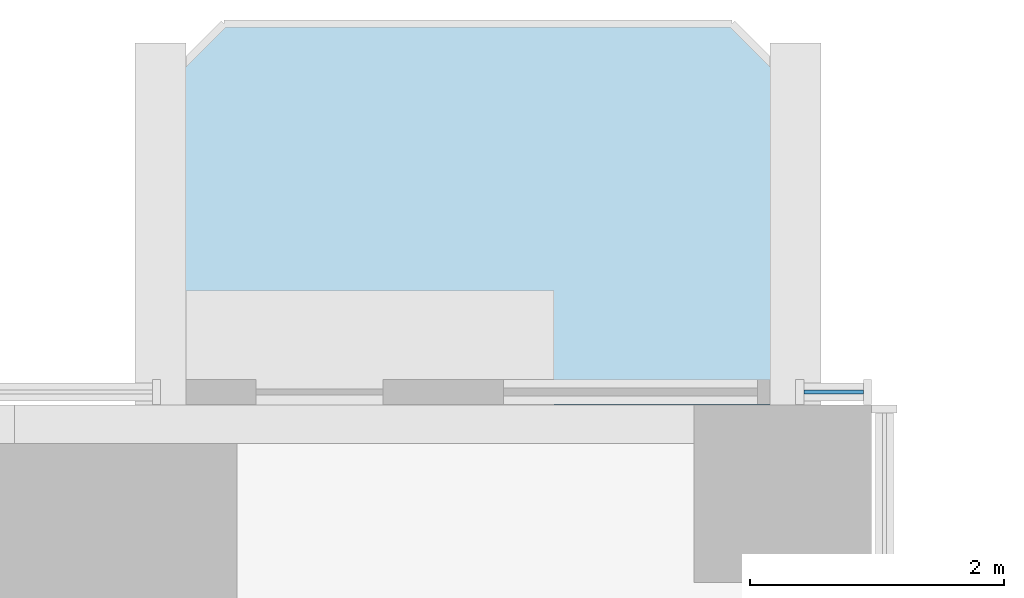
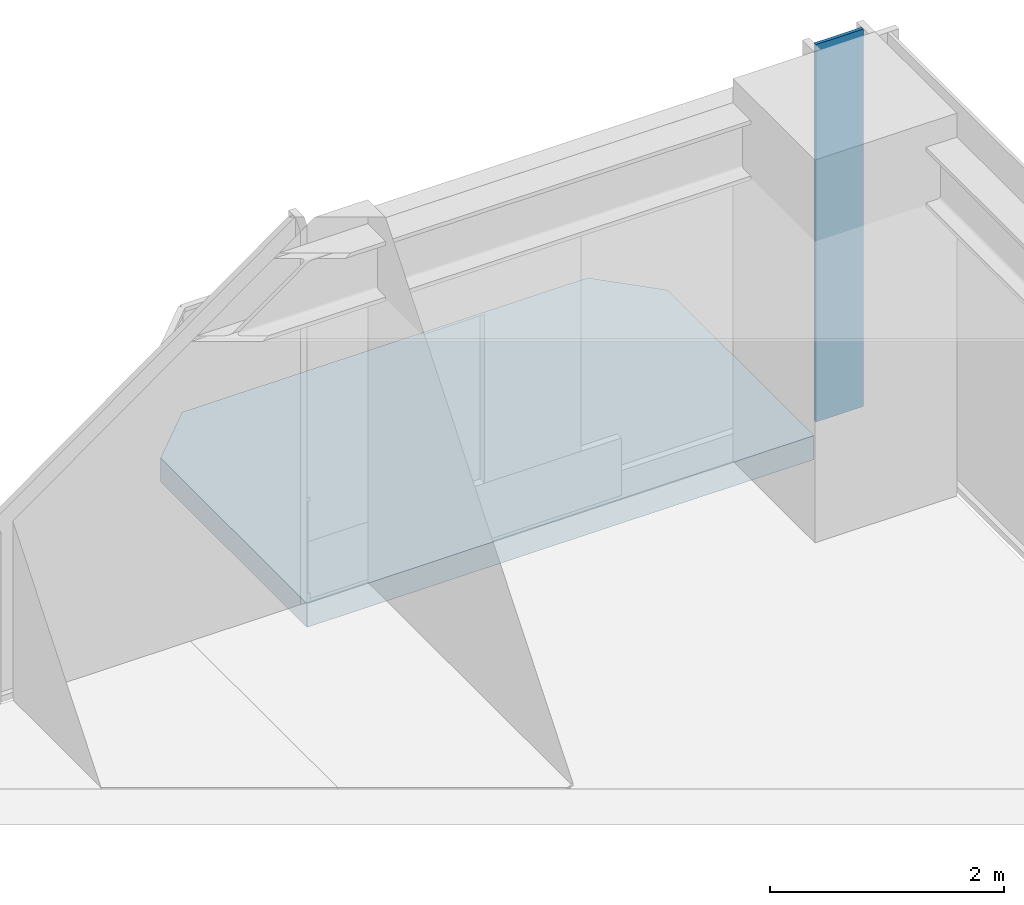
# One storey, part 10 of 17: 1 plate, 1 slab, 1 element without a shape of its own.
"""IFC4 building model written with IfcOpenShell, lengths in metres."""

from ifc_helpers import new_model, si_unit, direction, frame, origin, origin_2d, place, context, subcontext, project, spatial, polyline, rectangle, outline, extrude, material, layer, layer_set, type_object, element, aggregate, save


model = new_model("IFC4")

# Units and contexts
model_context = context("Model", 3, precision=1e-05, world=origin(), true_north=direction((0.0, 1.0)))
body_context = subcontext(model_context, "Body", "Model", "MODEL_VIEW")
ifc_project = project(units=[si_unit("LENGTHUNIT", "METRE"), si_unit("AREAUNIT", "SQUARE_METRE"), si_unit("VOLUMEUNIT", "CUBIC_METRE"), si_unit("PLANEANGLEUNIT", "RADIAN"), si_unit("MASSUNIT", "GRAM", prefix="KILO")], contexts=[model_context])

# Site, building, storey
site_placement = place(None, origin())
site = spatial("IfcSite", under=ifc_project, at=site_placement, CompositionType="ELEMENT")
building_placement = place(site_placement, origin())
building = spatial("IfcBuilding", under=site, at=building_placement, Name="Svetlomir Tower", CompositionType="ELEMENT")
storey_placement = place(building_placement, frame((0.0, 0.0, 38.5)))
storey = spatial("IfcBuildingStorey", under=building, at=storey_placement, Name="L08", CompositionType="ELEMENT", Elevation=38.5)

# Slab
ifc_material_1 = material(Name="Concrete C60/75", Category="concrete")
ifc_layer_1 = layer(ifc_material_1, 0.25)
ifc_layer_set_1 = layer_set([ifc_layer_1], Name="Concrete C60/75")
slab_type = type_object("IfcSlabType", Name="BALCONY SLAB 250", PredefinedType="FLOOR", material=ifc_layer_set_1)
slab_placement = place(storey_placement, frame((0.0, 0.0, -0.25)))
element("IfcSlab", 1, at=slab_placement, inside=storey, type_object=slab_type, Name="L08 N planted balcony", PredefinedType="FLOOR", context=body_context, shape_type="SweptSolid", body=[
    extrude(outline(polyline([(30.39990234375, 42.0), (35.39990234375, 42.0), (35.39990234375, 44.5), (34.89990234375, 45.0), (30.89990234375, 45.0), (30.39990234375, 44.5), (30.39990234375, 42.0)])), origin(), (0.0, 0.0, 1.0), 0.25),
])

# Curtain wall, plate
ifc_material_2 = material(Name="Bronze anodised aluminium curtain wall", Category="aluminium")
curtain_wall_type = type_object("IfcCurtainWallType", Name="CURTAIN WALL CW1 TOWER OFFICE", PredefinedType="NOTDEFINED", material=ifc_material_2)
curtain_wall_placement = place(storey_placement, origin())
curtain_wall = element("IfcCurtainWall", 2, at=curtain_wall_placement, inside=storey, type_object=curtain_wall_type, Name="Curtain wall CW1 L08", PredefinedType="NOTDEFINED")
ifc_material_3 = material(Name="Tinted double glazed unit", Category="glass")
ifc_layer_2 = layer(ifc_material_3, 0.031982421875)
ifc_layer_set_2 = layer_set([ifc_layer_2], Name="Tinted double glazed unit")
plate_type = type_object("IfcPlateType", Name="CW1 GLAZED PANEL 32", PredefinedType="CURTAIN_PANEL", material=ifc_layer_set_2)
plate_placement = place(storey_placement, frame((35.699951171875, 42.10009765625, 0.06494140625), z_axis=(0.0, 0.0, 1.0), x_axis=(-1.0, 0.0, 0.0)))
plate = element("IfcPlate", 3, at=plate_placement, type_object=plate_type, Name="CW1 panel 1.1", PredefinedType="CURTAIN_PANEL", context=body_context, shape_type="SweptSolid", body=[
    extrude(rectangle(XDim=0.469970703125, YDim=0.031982421875, at=origin_2d()), origin(), (0.0, 0.0, 1.0), 3.93505859375),
])
aggregate(curtain_wall, [plate])

save(model, "model.ifc")
